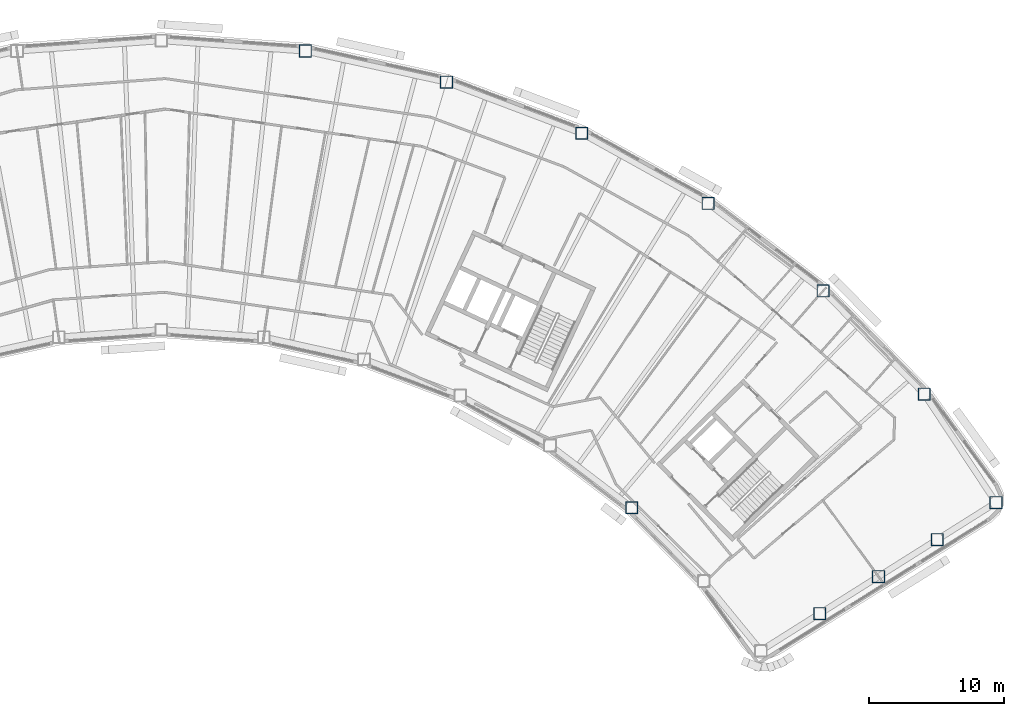
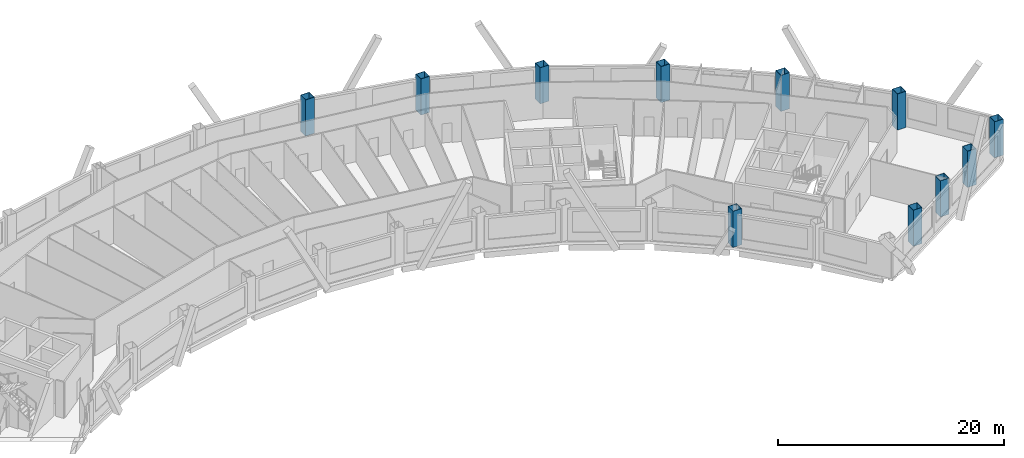
# One storey, part 2 of 15: 11 columns.
"""IFC4 building model written with IfcOpenShell, lengths in metres."""

import ifcopenshell
import ifcopenshell.guid

model = None  # the IFC model being written
_history = None  # IfcOwnerHistory: only IFC2X3 demands one
_inside = {}  # id of a spatial element -> (the spatial element, [elements in it])
_under = {}  # id of a project, library or spatial element -> (it, [spatial elements below it])
_declared = {}  # id of a project -> (the project, [libraries it declares])
_typed = {}  # id of a type object -> (the type object, [elements of that type])
_made_of = {}  # id of a material, layer set ... -> (it, [elements and type objects made of it])


def new_model(schema):
    """Start an empty IFC model of exactly this schema.

    Asked for "IFC4X3", IfcOpenShell would pick the latest addendum, in which some entities
    have other attributes; the version numbers below select the first issue.
    IFC2X3 requires an IfcOwnerHistory on every rooted entity: one is made here for all.
    """
    global model, _history
    if schema == "IFC4X3":
        model = ifcopenshell.file(schema_version=(4, 3, 0, 0))
    else:
        model = ifcopenshell.file(schema=schema)
    _inside.clear()
    _under.clear()
    _declared.clear()
    _typed.clear()
    _made_of.clear()
    _history = None
    if model.schema == "IFC2X3":
        org = make("IfcOrganization", Name="unknown")
        user = make(
            "IfcPersonAndOrganization",
            ThePerson=make("IfcPerson", FamilyName="unknown"),
            TheOrganization=org,
        )
        app = make(
            "IfcApplication",
            ApplicationDeveloper=org,
            Version="unknown",
            ApplicationFullName="unknown",
            ApplicationIdentifier="unknown",
        )
        _history = make(
            "IfcOwnerHistory",
            OwningUser=user,
            OwningApplication=app,
            ChangeAction="ADDED",
            CreationDate=0,
        )
    return model


def make(cls, **values):
    """One entity of the class cls with the attributes given. An attribute that is None is left unset."""
    return model.create_entity(
        cls, **{name: value for name, value in values.items() if value is not None}
    )


def rooted(cls, **values):
    """An entity with a GlobalId (a new one), such as an element, a storey or a relation."""
    return make(cls, GlobalId=ifcopenshell.guid.new(), OwnerHistory=_history, **values)


def si_unit(unit_type, name, prefix=None):
    """IfcSIUnit, for example si_unit("LENGTHUNIT", "METRE", prefix="MILLI")."""
    return make("IfcSIUnit", UnitType=unit_type, Prefix=prefix, Name=name)


def assignment(units):
    """IfcUnitAssignment: the units of a project."""
    return None if units is None else make("IfcUnitAssignment", Units=units)


def point(xyz):
    """IfcCartesianPoint."""
    return None if xyz is None else make("IfcCartesianPoint", Coordinates=xyz)


def direction(xyz):
    """IfcDirection."""
    return None if xyz is None else make("IfcDirection", DirectionRatios=xyz)


def frame(location, z_axis=None, x_axis=None):
    """IfcAxis2Placement3D, a coordinate frame: its origin and axes. An axis left out is left unset."""
    return make(
        "IfcAxis2Placement3D",
        Location=point(location),
        Axis=direction(z_axis),
        RefDirection=direction(x_axis),
    )


def frame_2d(location, x_axis=None):
    """IfcAxis2Placement2D, a coordinate frame in the plane: its origin and x axis."""
    return make(
        "IfcAxis2Placement2D", Location=point(location), RefDirection=direction(x_axis)
    )


def origin():
    """The frame at (0, 0, 0) with its axes left unset."""
    return frame((0.0, 0.0, 0.0))


def origin_2d():
    """The frame at (0, 0) in the plane with its x axis left unset."""
    return frame_2d((0.0, 0.0))


def place(relative_to, where):
    """IfcLocalPlacement: puts the frame where relative to a parent placement (None: the world)."""
    return make(
        "IfcLocalPlacement", PlacementRelTo=relative_to, RelativePlacement=where
    )


def context(
    kind, dimensions, precision=None, world=None, true_north=None, identifier=None
):
    """IfcGeometricRepresentationContext, for example the 3D "Model" context."""
    return make(
        "IfcGeometricRepresentationContext",
        ContextIdentifier=identifier,
        ContextType=kind,
        CoordinateSpaceDimension=dimensions,
        Precision=precision,
        WorldCoordinateSystem=world,
        TrueNorth=true_north,
    )


def subcontext(parent, identifier, kind, view, scale=None):
    """IfcGeometricRepresentationSubContext, for example "Body" below "Model"."""
    return make(
        "IfcGeometricRepresentationSubContext",
        ContextIdentifier=identifier,
        ContextType=kind,
        ParentContext=parent,
        TargetScale=scale,
        TargetView=view,
    )


def project(units=None, contexts=None):
    """IfcProject with its units and contexts."""
    return rooted(
        "IfcProject",
        Name="project",
        RepresentationContexts=contexts,
        UnitsInContext=assignment(units),
    )


def spatial(cls, under=None, at=None, **own):
    """A site, building, storey or space (cls), placed at a placement, below another one or the project."""
    s = rooted(cls, ObjectPlacement=at, **own)
    if under is not None:
        _under.setdefault(under.id(), (under, []))[1].append(s)
    return s


def profile(cls, at=None, kind="AREA", **sizes):
    """A parametric profile (cls). Its sizes go by their IFC names, for example OverallWidth=200.0."""
    return make(cls, ProfileType=kind, Position=at, **sizes)


def hollow_rectangle(**sizes):
    """IfcRectangleHollowProfileDef."""
    return profile("IfcRectangleHollowProfileDef", **sizes)


def extrude(swept, where, along, depth):
    """IfcExtrudedAreaSolid: the profile swept, set in the frame where, extruded along a direction by depth."""
    return make(
        "IfcExtrudedAreaSolid",
        SweptArea=swept,
        Position=where,
        ExtrudedDirection=direction(along),
        Depth=depth,
    )


def shape(context_of_items, identifier, shape_type, items):
    """IfcShapeRepresentation: the items that make up one representation, for example the "Body"."""
    return make(
        "IfcShapeRepresentation",
        ContextOfItems=context_of_items,
        RepresentationIdentifier=identifier,
        RepresentationType=shape_type,
        Items=items,
    )


def material(Name=None, Category=None):
    """IfcMaterial."""
    return make("IfcMaterial", Name=Name, Category=Category)


def material_profile(
    of_material, cross_section, Name=None, Category=None, Priority=None
):
    """IfcMaterialProfile: a cross section and its material."""
    return make(
        "IfcMaterialProfile",
        Name=Name,
        Material=of_material,
        Profile=cross_section,
        Priority=Priority,
        Category=Category,
    )


def profile_set(profiles, Name=None, composite=None):
    """IfcMaterialProfileSet."""
    return make(
        "IfcMaterialProfileSet",
        Name=Name,
        MaterialProfiles=profiles,
        CompositeProfile=composite,
    )


def made_of(thing, what):
    """Note that an element or type object is made of a material, layer set ...; save() writes the relation."""
    if what is not None:
        _made_of.setdefault(what.id(), (what, []))[1].append(thing)
    return thing


def type_object(cls, material=None, **own):
    """A type object (cls), such as IfcWallType, which elements share."""
    return made_of(rooted(cls, **own), material)


def element(
    cls,
    number,
    at=None,
    inside=None,
    cuts=None,
    type_object=None,
    material=None,
    context=None,
    identifier="Body",
    shape_type=None,
    held_by="IfcProductDefinitionShape",
    body=None,
    shapes=None,
    **own,
):
    """One element of the class cls, such as IfcWall. Its Tag is "e" and its number.

    at: its placement. inside: the storey or other place that contains it. cuts: it is an
    opening in that element (IfcRelVoidsElement). A single representation is given by context,
    identifier, shape_type and body (its items); several are given by shapes. held_by: the class
    of the entity that holds the representations. save() writes the other relations.
    """
    e = rooted(cls, Tag="e%d" % number, ObjectPlacement=at, **own)
    if body is not None:
        shapes = [shape(context, identifier, shape_type, body)]
    if shapes is not None:
        e.Representation = make(held_by, Representations=shapes)
    if inside is not None:
        _inside.setdefault(inside.id(), (inside, []))[1].append(e)
    if cuts is not None:
        rooted(
            "IfcRelVoidsElement", RelatingBuildingElement=cuts, RelatedOpeningElement=e
        )
    if type_object is not None:
        _typed.setdefault(type_object.id(), (type_object, []))[1].append(e)
    return made_of(e, material)


def aggregate(whole, parts):
    """IfcRelAggregates: a whole, such as a stair, and the parts it consists of."""
    return rooted("IfcRelAggregates", RelatingObject=whole, RelatedObjects=parts)


def save(model, path):
    """Write the relations noted so far, then the file.

    IfcRelAggregates (storeys below a building ...), IfcRelContainedInSpatialStructure (elements
    in a storey), IfcRelDefinesByType, IfcRelAssociatesMaterial and IfcRelDeclares: one each for
    every whole, place, type object, material and project.
    """
    for whole, parts in _under.values():
        aggregate(whole, parts)
    for where, things in _inside.values():
        rooted(
            "IfcRelContainedInSpatialStructure",
            RelatedElements=things,
            RelatingStructure=where,
        )
    for kind, things in _typed.values():
        rooted("IfcRelDefinesByType", RelatedObjects=things, RelatingType=kind)
    for what, things in _made_of.values():
        rooted("IfcRelAssociatesMaterial", RelatedObjects=things, RelatingMaterial=what)
    for by, libraries in _declared.values():
        rooted("IfcRelDeclares", RelatingContext=by, RelatedDefinitions=libraries)
    model.write(path)


model = new_model("IFC4")

# Units and contexts
model_context = context("Model", 3, precision=1e-05, world=origin(), true_north=direction((0.0, 1.0)))
body_context = subcontext(model_context, "Body", "Model", "MODEL_VIEW")
ifc_project = project(units=[si_unit("LENGTHUNIT", "METRE"), si_unit("AREAUNIT", "SQUARE_METRE"), si_unit("VOLUMEUNIT", "CUBIC_METRE"), si_unit("PLANEANGLEUNIT", "RADIAN"), si_unit("MASSUNIT", "GRAM", prefix="KILO")], contexts=[model_context])

# Site, building, storey
site_placement = place(None, origin())
site = spatial("IfcSite", under=ifc_project, at=site_placement, CompositionType="ELEMENT")
building_placement = place(site_placement, origin())
building = spatial("IfcBuilding", under=site, at=building_placement, Name="Tuul Gate Civic Tower", CompositionType="ELEMENT")
storey_placement = place(building_placement, frame((0.0, 0.0, 226.300048828125)))
storey = spatial("IfcBuildingStorey", under=building, at=storey_placement, Name="Level 51", CompositionType="ELEMENT", Elevation=226.300048828125)

# Columns
ifc_material = material(Name="Steel S355", Category="steel")
ifc_material_profile = material_profile(ifc_material, hollow_rectangle(XDim=0.89990234375, YDim=0.89990234375, WallThickness=0.031982421875, at=origin_2d()), Name="BOX900x900x32")
ifc_profile_set = profile_set([ifc_material_profile], Name="Steel S355")
column_type = type_object("IfcColumnType", Name="STR-COLUMN-BOX900x900x32", PredefinedType="COLUMN", material=ifc_profile_set)
for number, where, z_axis, x_axis, name in (
    (1, (67.611083984375, -15.56298828125, 0.0), (0.0, 0.0, 1.0), (1.0, 0.0, 0.0), "Column"),
    (2, (62.31201171875, -7.550048828125, 0.0), (0.0, 0.0, 1.0), (1.0, 0.0, 0.0), "Column"),
    (3, (54.8369140625, 0.074951171875, 0.0), (0.0, 0.0, 1.0), (1.0, 0.0, 0.0), "Column"),
    (4, (46.342041015625, 6.54296875, 0.0), (0.0, 0.0, 1.0), (1.0, 0.0, 0.0), "Column"),
    (5, (37.0029296875, 11.718994140625, 0.0), (0.0, 0.0, 1.0), (1.0, 0.0, 0.0), "Column"),
    (6, (27.01611328125, 15.49609375, 0.0), (0.0, 0.0, 1.0), (1.0, 0.0, 0.0), "Column"),
    (7, (16.589111328125, 17.7939453125, 0.0), (0.0, 0.0, 1.0), (1.0, 0.0, 0.0), "Column"),
    (8, (40.7060546875, -15.93798828125, 0.0), (0.0, 0.0, 1.0), (1.0, 0.0, 0.0), "Column"),
    (9, (54.5830078125, -23.76708984375, 0.0), (0.0, 0.0, 1.0), (1.0, 0.0, 0.0), "Column"),
    (10, (58.926025390625, -21.031982421875, 0.0), (0.0, 0.0, 1.0), (1.0, 0.0, 0.0), "Column"),
    (11, (63.26806640625, -18.297119140625, 0.0), (0.0, 0.0, 1.0), (1.0, 0.0, 0.0), "Column"),
):
    element("IfcColumn", number, at=place(storey_placement, frame(where, z_axis=z_axis, x_axis=x_axis)), inside=storey, type_object=column_type, Name=name, PredefinedType="COLUMN", context=body_context, shape_type="SweptSolid", body=[
        extrude(hollow_rectangle(XDim=0.89990234375, YDim=0.89990234375, WallThickness=0.031982421875, at=origin_2d()), origin(), (0.0, 0.0, 1.0), 3.89990234375),
    ])

save(model, "model.ifc")
